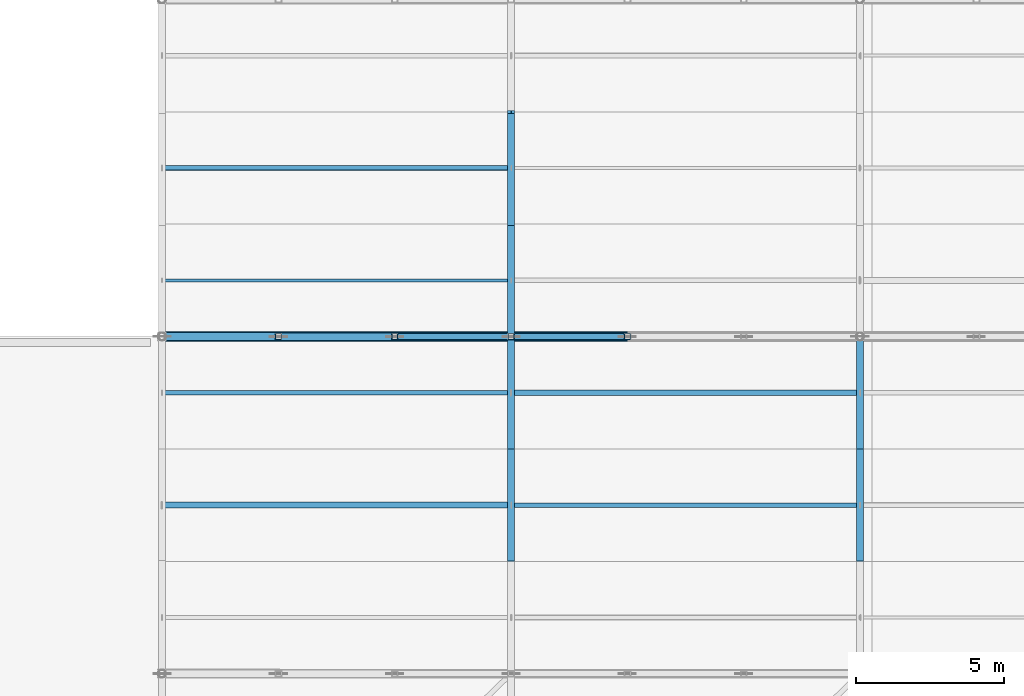
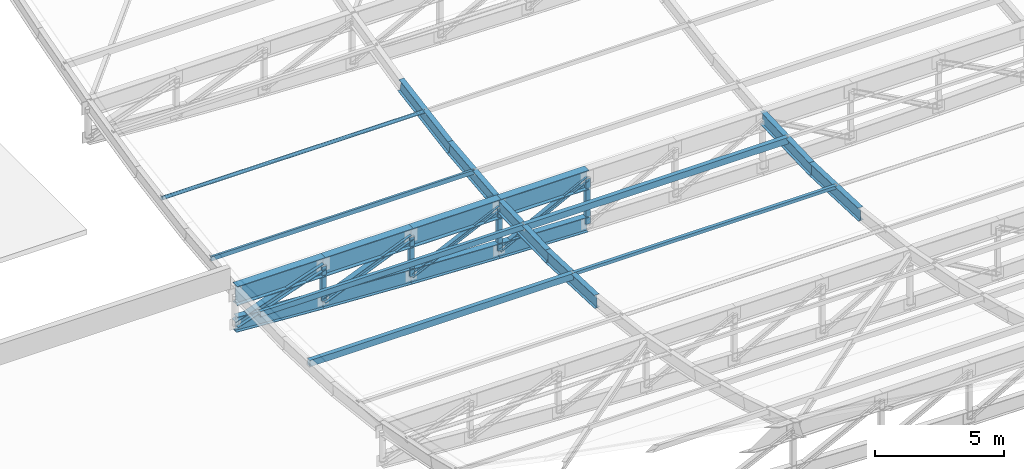
# One storey, part 15 of 65: 20 members, 8 beams.
"""IFC4 building model written with IfcOpenShell, lengths in metres."""

from ifc_helpers import new_model, si_unit, direction, frame, origin, origin_2d, place, context, subcontext, project, spatial, hollow_rectangle, hollow_circle, i_section, extrude, material, material_profile, profile_set, type_object, element, save


model = new_model("IFC4")

# Units and contexts
model_context = context("Model", 3, precision=1e-05, world=origin(), true_north=direction((0.0, 1.0)))
body_context = subcontext(model_context, "Body", "Model", "MODEL_VIEW")
ifc_project = project(units=[si_unit("LENGTHUNIT", "METRE"), si_unit("AREAUNIT", "SQUARE_METRE"), si_unit("VOLUMEUNIT", "CUBIC_METRE"), si_unit("PLANEANGLEUNIT", "RADIAN"), si_unit("MASSUNIT", "GRAM", prefix="KILO"), si_unit("POWERUNIT", "WATT"), si_unit("THERMODYNAMICTEMPERATUREUNIT", "KELVIN")], contexts=[model_context])

# Site, building, storey
site_placement = place(None, origin())
site = spatial("IfcSite", under=ifc_project, at=site_placement, CompositionType="ELEMENT")
building_placement = place(site_placement, origin())
building = spatial("IfcBuilding", under=site, at=building_placement, Name="Kelmbourne Parkland Aquatics Centre", CompositionType="ELEMENT")
storey_placement = place(building_placement, frame((0.0, 0.0, 27.0)))
storey = spatial("IfcBuildingStorey", under=building, at=storey_placement, Name="RF", CompositionType="ELEMENT", Elevation=27.0)

# Members
ifc_material_1 = material(Name="Structural steel AS/NZS 3679.1 Grade 300", Category="steel")
ifc_material_profile_1 = material_profile(ifc_material_1, i_section(OverallWidth=0.306884765625, OverallDepth=0.31494140625, WebThickness=0.011962890625, FlangeThickness=0.018798828125, at=origin_2d()), Name="310UC118")
ifc_profile_set_1 = profile_set([ifc_material_profile_1], Name="Structural steel AS/NZS 3679.1 Grade 300")
member_type_1 = type_object("IfcMemberType", Name="MB-DIAG1", PredefinedType="STRUT", material=ifc_profile_set_1)
member_1_placement = place(storey_placement, frame((128.0, 57.800048828125, -14.263671875), z_axis=(0.94359966112, 0.0, 0.331088627913), x_axis=(0.0, 1.0, 0.0)))
element("IfcMember", 1, at=member_1_placement, inside=storey, type_object=member_type_1, Name="Roof truss R05 web diagonal 1", PredefinedType="STRUT", context=body_context, shape_type="SweptSolid", body=[
    extrude(i_section(OverallWidth=0.306884765625, OverallDepth=0.31494140625, WebThickness=0.011962890625, FlangeThickness=0.018798828125, at=origin_2d()), origin(), (0.0, 0.0, 1.0), 4.16845703125),
])
ifc_material_profile_2 = material_profile(ifc_material_1, i_section(OverallWidth=0.256103515625, OverallDepth=0.260009765625, WebThickness=0.010498046875, FlangeThickness=0.017333984375, at=origin_2d()), Name="250UC89.5")
ifc_profile_set_2 = profile_set([ifc_material_profile_2], Name="Structural steel AS/NZS 3679.1 Grade 300")
member_type_2 = type_object("IfcMemberType", Name="MB-DIAG2", PredefinedType="STRUT", material=ifc_profile_set_2)
member_2_placement = place(storey_placement, frame((131.933349609375, 57.800048828125, -14.523193359375), z_axis=(0.923014195881, 0.0, 0.384765895322), x_axis=(0.0, 1.0, 0.0)))
element("IfcMember", 2, at=member_2_placement, inside=storey, type_object=member_type_2, Name="Roof truss R05 web diagonal 2", PredefinedType="STRUT", context=body_context, shape_type="SweptSolid", body=[
    extrude(i_section(OverallWidth=0.256103515625, OverallDepth=0.260009765625, WebThickness=0.010498046875, FlangeThickness=0.017333984375, at=origin_2d()), origin(), (0.0, 0.0, 1.0), 4.261474609375),
])
ifc_material_profile_3 = material_profile(ifc_material_1, i_section(OverallWidth=0.205078125, OverallDepth=0.2099609375, WebThickness=0.00927734375, FlangeThickness=0.01416015625, at=origin_2d()), Name="200UC59.5")
ifc_profile_set_3 = profile_set([ifc_material_profile_3], Name="Structural steel AS/NZS 3679.1 Grade 300")
member_type_3 = type_object("IfcMemberType", Name="MB-DIAG3", PredefinedType="STRUT", material=ifc_profile_set_3)
member_3_placement = place(storey_placement, frame((135.86669921875, 57.800048828125, -14.73583984375), z_axis=(0.904702860314, 0.0, 0.426043113475), x_axis=(0.0, 1.0, 0.0)))
element("IfcMember", 3, at=member_3_placement, inside=storey, type_object=member_type_3, Name="Roof truss R05 web diagonal 3", PredefinedType="STRUT", context=body_context, shape_type="SweptSolid", body=[
    extrude(i_section(OverallWidth=0.205078125, OverallDepth=0.2099609375, WebThickness=0.00927734375, FlangeThickness=0.01416015625, at=origin_2d()), origin(), (0.0, 0.0, 1.0), 4.34765625),
])
member_4_placement = place(storey_placement, frame((139.800048828125, 57.800048828125, -14.901123046875), z_axis=(0.889773759549, 0.0, 0.456401858911), x_axis=(0.0, 1.0, 0.0)))
element("IfcMember", 4, at=member_4_placement, inside=storey, type_object=member_type_3, Name="Roof truss R05 web diagonal 4", PredefinedType="STRUT", context=body_context, shape_type="SweptSolid", body=[
    extrude(i_section(OverallWidth=0.205078125, OverallDepth=0.2099609375, WebThickness=0.00927734375, FlangeThickness=0.01416015625, at=origin_2d()), origin(), (0.0, 0.0, 1.0), 4.420654296875),
])
ifc_material_profile_4 = material_profile(ifc_material_1, i_section(OverallWidth=0.22900390625, OverallDepth=0.612060546875, WebThickness=0.011962890625, FlangeThickness=0.01953125, at=origin_2d()), Name="610UB125")
ifc_profile_set_4 = profile_set([ifc_material_profile_4], Name="Structural steel AS/NZS 3679.1 Grade 300")
member_type_4 = type_object("IfcMemberType", Name="MB-LRIB", PredefinedType="STRUT", material=ifc_profile_set_4)
member_5_placement = place(storey_placement, frame((139.800048828125, 50.199951171875, -12.7470703125), z_axis=(0.0, 0.999192218412, -0.040185951091), x_axis=(-1.0, 0.0, 0.0)))
element("IfcMember", 5, at=member_5_placement, inside=storey, type_object=member_type_4, Name="Longitudinal wave rib K3 strip 14", PredefinedType="STRUT", context=body_context, shape_type="SweptSolid", body=[
    extrude(i_section(OverallWidth=0.22900390625, OverallDepth=0.612060546875, WebThickness=0.011962890625, FlangeThickness=0.01953125, at=origin_2d()), origin(), (0.0, 0.0, 1.0), 3.80322265625),
])
member_6_placement = place(storey_placement, frame((139.800048828125, 54.0, -12.89990234375), z_axis=(0.0, 0.99935801958, 0.035826647923), x_axis=(-1.0, 0.0, 0.0)))
element("IfcMember", 6, at=member_6_placement, inside=storey, type_object=member_type_4, Name="Longitudinal wave rib K3 strip 15", PredefinedType="STRUT", context=body_context, shape_type="SweptSolid", body=[
    extrude(i_section(OverallWidth=0.22900390625, OverallDepth=0.612060546875, WebThickness=0.011962890625, FlangeThickness=0.01953125, at=origin_2d()), origin(), (0.0, 0.0, 1.0), 3.802490234375),
])
member_7_placement = place(storey_placement, frame((139.800048828125, 57.800048828125, -12.763671875), z_axis=(0.0, 0.994394631205, 0.105732291336), x_axis=(-1.0, 0.0, 0.0)))
element("IfcMember", 7, at=member_7_placement, inside=storey, type_object=member_type_4, Name="Longitudinal wave rib K3 strip 16", PredefinedType="STRUT", context=body_context, shape_type="SweptSolid", body=[
    extrude(i_section(OverallWidth=0.22900390625, OverallDepth=0.612060546875, WebThickness=0.011962890625, FlangeThickness=0.01953125, at=origin_2d()), origin(), (0.0, 0.0, 1.0), 3.821533203125),
])
member_8_placement = place(storey_placement, frame((139.800048828125, 61.60009765625, -12.359619140625), z_axis=(0.0, 0.985411823196, 0.170186775941), x_axis=(-1.0, 0.0, 0.0)))
element("IfcMember", 8, at=member_8_placement, inside=storey, type_object=member_type_4, Name="Longitudinal wave rib K3 strip 17", PredefinedType="STRUT", context=body_context, shape_type="SweptSolid", body=[
    extrude(i_section(OverallWidth=0.22900390625, OverallDepth=0.612060546875, WebThickness=0.011962890625, FlangeThickness=0.01953125, at=origin_2d()), origin(), (0.0, 0.0, 1.0), 3.85595703125),
])
member_9_placement = place(storey_placement, frame((151.60009765625, 50.199951171875, -12.7470703125), z_axis=(0.0, 0.999192218412, -0.040185951091), x_axis=(-1.0, 0.0, 0.0)))
element("IfcMember", 9, at=member_9_placement, inside=storey, type_object=member_type_4, Name="Longitudinal wave rib K6 strip 14", PredefinedType="STRUT", context=body_context, shape_type="SweptSolid", body=[
    extrude(i_section(OverallWidth=0.22900390625, OverallDepth=0.612060546875, WebThickness=0.011962890625, FlangeThickness=0.01953125, at=origin_2d()), origin(), (0.0, 0.0, 1.0), 3.80322265625),
])
member_10_placement = place(storey_placement, frame((151.60009765625, 54.0, -12.89990234375), z_axis=(0.0, 0.99935801958, 0.035826647923), x_axis=(-1.0, 0.0, 0.0)))
element("IfcMember", 10, at=member_10_placement, inside=storey, type_object=member_type_4, Name="Longitudinal wave rib K6 strip 15", PredefinedType="STRUT", context=body_context, shape_type="SweptSolid", body=[
    extrude(i_section(OverallWidth=0.22900390625, OverallDepth=0.612060546875, WebThickness=0.011962890625, FlangeThickness=0.01953125, at=origin_2d()), origin(), (0.0, 0.0, 1.0), 3.802490234375),
])
ifc_material_2 = material(Name="Cold-formed hollow steel AS/NZS 1163 C350L0", Category="steel")
ifc_material_profile_5 = material_profile(ifc_material_2, hollow_rectangle(XDim=0.199951171875, YDim=0.199951171875, WallThickness=0.010009765625, at=origin_2d()), Name="SHS 200x200x10.0")
ifc_profile_set_5 = profile_set([ifc_material_profile_5], Name="Cold-formed hollow steel AS/NZS 1163 C350L0")
member_type_5 = type_object("IfcMemberType", Name="MB-POST1", PredefinedType="STRUT", material=ifc_profile_set_5)
member_11_placement = place(storey_placement, frame((131.933349609375, 57.800048828125, -14.523193359375), z_axis=(0.0, 0.0, 1.0), x_axis=(1.0, 0.0, 0.0)))
element("IfcMember", 11, at=member_11_placement, inside=storey, type_object=member_type_5, Name="Roof truss R05 vertical post 1", PredefinedType="STRUT", context=body_context, shape_type="SweptSolid", body=[
    extrude(hollow_rectangle(XDim=0.199951171875, YDim=0.199951171875, WallThickness=0.010009765625, at=origin_2d()), origin(), (0.0, 0.0, 1.0), 1.6396484375),
])
member_12_placement = place(storey_placement, frame((135.86669921875, 57.800048828125, -14.73583984375), z_axis=(0.0, 0.0, 1.0), x_axis=(1.0, 0.0, 0.0)))
element("IfcMember", 12, at=member_12_placement, inside=storey, type_object=member_type_5, Name="Roof truss R05 vertical post 2", PredefinedType="STRUT", context=body_context, shape_type="SweptSolid", body=[
    extrude(hollow_rectangle(XDim=0.199951171875, YDim=0.199951171875, WallThickness=0.010009765625, at=origin_2d()), origin(), (0.0, 0.0, 1.0), 1.852294921875),
])
member_13_placement = place(storey_placement, frame((139.800048828125, 57.800048828125, -14.901123046875), z_axis=(0.0, 0.0, 1.0), x_axis=(1.0, 0.0, 0.0)))
element("IfcMember", 13, at=member_13_placement, inside=storey, type_object=member_type_5, Name="Roof truss R05 vertical post 3", PredefinedType="STRUT", context=body_context, shape_type="SweptSolid", body=[
    extrude(hollow_rectangle(XDim=0.199951171875, YDim=0.199951171875, WallThickness=0.010009765625, at=origin_2d()), origin(), (0.0, 0.0, 1.0), 2.017578125),
])
member_14_placement = place(storey_placement, frame((143.7333984375, 57.800048828125, -15.019287109375), z_axis=(0.0, 0.0, 1.0), x_axis=(1.0, 0.0, 0.0)))
element("IfcMember", 14, at=member_14_placement, inside=storey, type_object=member_type_5, Name="Roof truss R05 vertical post 4", PredefinedType="STRUT", context=body_context, shape_type="SweptSolid", body=[
    extrude(hollow_rectangle(XDim=0.199951171875, YDim=0.199951171875, WallThickness=0.010009765625, at=origin_2d()), origin(), (0.0, 0.0, 1.0), 2.1357421875),
])
ifc_material_profile_6 = material_profile(ifc_material_2, hollow_rectangle(XDim=0.10009765625, YDim=0.199951171875, WallThickness=0.006103515625, at=origin_2d()), Name="RHS 200x100x6.0")
ifc_profile_set_6 = profile_set([ifc_material_profile_6], Name="Cold-formed hollow steel AS/NZS 1163 C350L0")
member_type_6 = type_object("IfcMemberType", Name="MB-PUR1", PredefinedType="PURLIN", material=ifc_profile_set_6)
member_15_placement = place(storey_placement, frame((128.0, 59.699951171875, -12.3515625), z_axis=(1.0, 0.0, 0.0), x_axis=(0.0, 1.0, 0.0)))
element("IfcMember", 15, at=member_15_placement, inside=storey, type_object=member_type_6, Name="Wave roof purlin S16-G1", PredefinedType="PURLIN", context=body_context, shape_type="SweptSolid", body=[
    extrude(hollow_rectangle(XDim=0.10009765625, YDim=0.199951171875, WallThickness=0.006103515625, at=origin_2d()), origin(), (0.0, 0.0, 1.0), 11.800048828125),
])
ifc_material_profile_7 = material_profile(ifc_material_2, hollow_rectangle(XDim=0.14990234375, YDim=0.25, WallThickness=0.009033203125, at=origin_2d()), Name="RHS 250x150x9.0")
ifc_profile_set_7 = profile_set([ifc_material_profile_7], Name="Cold-formed hollow steel AS/NZS 1163 C350L0")
member_type_7 = type_object("IfcMemberType", Name="MB-PUR2", PredefinedType="PURLIN", material=ifc_profile_set_7)
member_16_placement = place(storey_placement, frame((128.0, 55.89990234375, -12.646728515625), z_axis=(1.0, 0.0, 0.0), x_axis=(0.0, 1.0, 0.0)))
element("IfcMember", 16, at=member_16_placement, inside=storey, type_object=member_type_7, Name="Wave roof purlin S15-G1", PredefinedType="PURLIN", context=body_context, shape_type="SweptSolid", body=[
    extrude(hollow_rectangle(XDim=0.14990234375, YDim=0.25, WallThickness=0.009033203125, at=origin_2d()), origin(), (0.0, 0.0, 1.0), 11.800048828125),
])
ifc_material_profile_8 = material_profile(ifc_material_2, hollow_rectangle(XDim=0.199951171875, YDim=0.300048828125, WallThickness=0.010009765625, at=origin_2d()), Name="RHS 300x200x10.0")
ifc_profile_set_8 = profile_set([ifc_material_profile_8], Name="Cold-formed hollow steel AS/NZS 1163 C350L0")
member_type_8 = type_object("IfcMemberType", Name="MB-PUR3", PredefinedType="PURLIN", material=ifc_profile_set_8)
for number, where, z_axis, x_axis, name in (
    (17, (128.0, 52.10009765625, -12.66357421875), (1.0, 0.0, 0.0), (0.0, 1.0, 0.0), "Wave roof purlin S14-G1"),
    (18, (139.800048828125, 55.89990234375, -12.671875), (1.0, 0.0, 0.0), (0.0, 1.0, 0.0), "Wave roof purlin S15-G2"),
):
    element("IfcMember", number, at=place(storey_placement, frame(where, z_axis=z_axis, x_axis=x_axis)), inside=storey, type_object=member_type_8, Name=name, PredefinedType="PURLIN", context=body_context, shape_type="SweptSolid", body=[
        extrude(hollow_rectangle(XDim=0.199951171875, YDim=0.300048828125, WallThickness=0.010009765625, at=origin_2d()), origin(), (0.0, 0.0, 1.0), 11.800048828125),
    ])
ifc_material_profile_9 = material_profile(ifc_material_2, hollow_rectangle(XDim=0.14990234375, YDim=0.14990234375, WallThickness=0.009033203125, at=origin_2d()), Name="SHS 150x150x9.0")
ifc_profile_set_9 = profile_set([ifc_material_profile_9], Name="Cold-formed hollow steel AS/NZS 1163 C350L0")
member_type_9 = type_object("IfcMemberType", Name="MB-PUR4", PredefinedType="PURLIN", material=ifc_profile_set_9)
member_17_placement = place(storey_placement, frame((139.800048828125, 52.10009765625, -12.58837890625), z_axis=(1.0, 0.0, 0.0), x_axis=(0.0, 1.0, 0.0)))
element("IfcMember", 19, at=member_17_placement, inside=storey, type_object=member_type_9, Name="Wave roof purlin S14-G2", PredefinedType="PURLIN", context=body_context, shape_type="SweptSolid", body=[
    extrude(hollow_rectangle(XDim=0.14990234375, YDim=0.14990234375, WallThickness=0.009033203125, at=origin_2d()), origin(), (0.0, 0.0, 1.0), 11.800048828125),
])
ifc_material_profile_10 = material_profile(ifc_material_2, hollow_circle(Radius=0.084228515625, WallThickness=0.007080078125, at=origin_2d()), Name="CHS 168.3x7.1")
ifc_profile_set_10 = profile_set([ifc_material_profile_10], Name="Cold-formed hollow steel AS/NZS 1163 C350L0")
member_type_10 = type_object("IfcMemberType", Name="MB-PUR5", PredefinedType="PURLIN", material=ifc_profile_set_10)
member_18_placement = place(storey_placement, frame((128.0, 63.5, -11.8056640625), z_axis=(1.0, 0.0, 0.0), x_axis=(0.0, 1.0, 0.0)))
element("IfcMember", 20, at=member_18_placement, inside=storey, type_object=member_type_10, Name="Wave roof purlin S17-G1", PredefinedType="PURLIN", context=body_context, shape_type="SweptSolid", body=[
    extrude(hollow_circle(Radius=0.084228515625, WallThickness=0.007080078125, at=origin_2d()), origin(), (0.0, 0.0, 1.0), 11.800048828125),
])

# Beams
ifc_material_3 = material(Name="Welded plate steel AS/NZS 3678 Grade 350", Category="steel")
ifc_material_profile_11 = material_profile(ifc_material_3, i_section(OverallWidth=0.27490234375, OverallDepth=0.716064453125, WebThickness=0.011962890625, FlangeThickness=0.02490234375, at=origin_2d()), Name="700WB173")
ifc_profile_set_11 = profile_set([ifc_material_profile_11], Name="Welded plate steel AS/NZS 3678 Grade 350")
beam_type_1 = type_object("IfcBeamType", Name="TR-BC1", PredefinedType="BEAM", material=ifc_profile_set_11)
beam_1_placement = place(storey_placement, frame((128.0, 57.800048828125, -14.263671875), z_axis=(0.9978304164, 0.0, -0.065836616761), x_axis=(0.0, 1.0, 0.0)))
element("IfcBeam", 21, at=beam_1_placement, inside=storey, type_object=beam_type_1, Name="Roof truss R05 bottom chord 1", PredefinedType="BEAM", context=body_context, shape_type="SweptSolid", body=[
    extrude(i_section(OverallWidth=0.27490234375, OverallDepth=0.716064453125, WebThickness=0.011962890625, FlangeThickness=0.02490234375, at=origin_2d()), origin(), (0.0, 0.0, 1.0), 3.94189453125),
])
beam_2_placement = place(storey_placement, frame((131.933349609375, 57.800048828125, -14.523193359375), z_axis=(0.99854182183, 0.0, -0.053983609138), x_axis=(0.0, 1.0, 0.0)))
element("IfcBeam", 22, at=beam_2_placement, inside=storey, type_object=beam_type_1, Name="Roof truss R05 bottom chord 2", PredefinedType="BEAM", context=body_context, shape_type="SweptSolid", body=[
    extrude(i_section(OverallWidth=0.27490234375, OverallDepth=0.716064453125, WebThickness=0.011962890625, FlangeThickness=0.02490234375, at=origin_2d()), origin(), (0.0, 0.0, 1.0), 3.939208984375),
])
beam_3_placement = place(storey_placement, frame((135.86669921875, 57.800048828125, -14.73583984375), z_axis=(0.999118286144, 0.0, -0.041983928975), x_axis=(0.0, 1.0, 0.0)))
element("IfcBeam", 23, at=beam_3_placement, inside=storey, type_object=beam_type_1, Name="Roof truss R05 bottom chord 3", PredefinedType="BEAM", context=body_context, shape_type="SweptSolid", body=[
    extrude(i_section(OverallWidth=0.27490234375, OverallDepth=0.716064453125, WebThickness=0.011962890625, FlangeThickness=0.02490234375, at=origin_2d()), origin(), (0.0, 0.0, 1.0), 3.936767578125),
])
beam_4_placement = place(storey_placement, frame((139.800048828125, 57.800048828125, -14.901123046875), z_axis=(0.999549056749, 0.0, -0.030028039443), x_axis=(0.0, 1.0, 0.0)))
element("IfcBeam", 24, at=beam_4_placement, inside=storey, type_object=beam_type_1, Name="Roof truss R05 bottom chord 4", PredefinedType="BEAM", context=body_context, shape_type="SweptSolid", body=[
    extrude(i_section(OverallWidth=0.27490234375, OverallDepth=0.716064453125, WebThickness=0.011962890625, FlangeThickness=0.02490234375, at=origin_2d()), origin(), (0.0, 0.0, 1.0), 3.93505859375),
])
ifc_material_profile_12 = material_profile(ifc_material_3, i_section(OverallWidth=0.35009765625, OverallDepth=0.909912109375, WebThickness=0.011962890625, FlangeThickness=0.02490234375, at=origin_2d()), Name="900WB218")
ifc_profile_set_12 = profile_set([ifc_material_profile_12], Name="Welded plate steel AS/NZS 3678 Grade 350")
beam_type_2 = type_object("IfcBeamType", Name="TR-TC1", PredefinedType="BEAM", material=ifc_profile_set_12)
for number, where, z_axis, x_axis, name in (
    (25, (128.0, 57.800048828125, -12.883544921875), (1.0, 0.0, 0.0), (0.0, 1.0, 0.0), "Roof truss R05 top chord 1"),
    (26, (131.933349609375, 57.800048828125, -12.883544921875), (1.0, 0.0, 0.0), (0.0, 1.0, 0.0), "Roof truss R05 top chord 2"),
    (27, (135.86669921875, 57.800048828125, -12.883544921875), (1.0, 0.0, 0.0), (0.0, 1.0, 0.0), "Roof truss R05 top chord 3"),
    (28, (139.800048828125, 57.800048828125, -12.883544921875), (1.0, 0.0, 0.0), (0.0, 1.0, 0.0), "Roof truss R05 top chord 4"),
):
    element("IfcBeam", number, at=place(storey_placement, frame(where, z_axis=z_axis, x_axis=x_axis)), inside=storey, type_object=beam_type_2, Name=name, PredefinedType="BEAM", context=body_context, shape_type="SweptSolid", body=[
        extrude(i_section(OverallWidth=0.35009765625, OverallDepth=0.909912109375, WebThickness=0.011962890625, FlangeThickness=0.02490234375, at=origin_2d()), origin(), (0.0, 0.0, 1.0), 3.933349609375),
    ])

save(model, "model.ifc")
